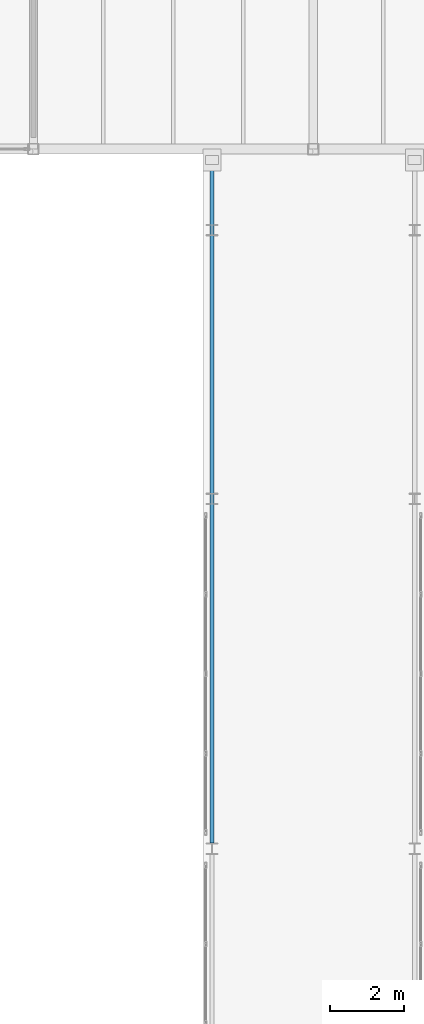
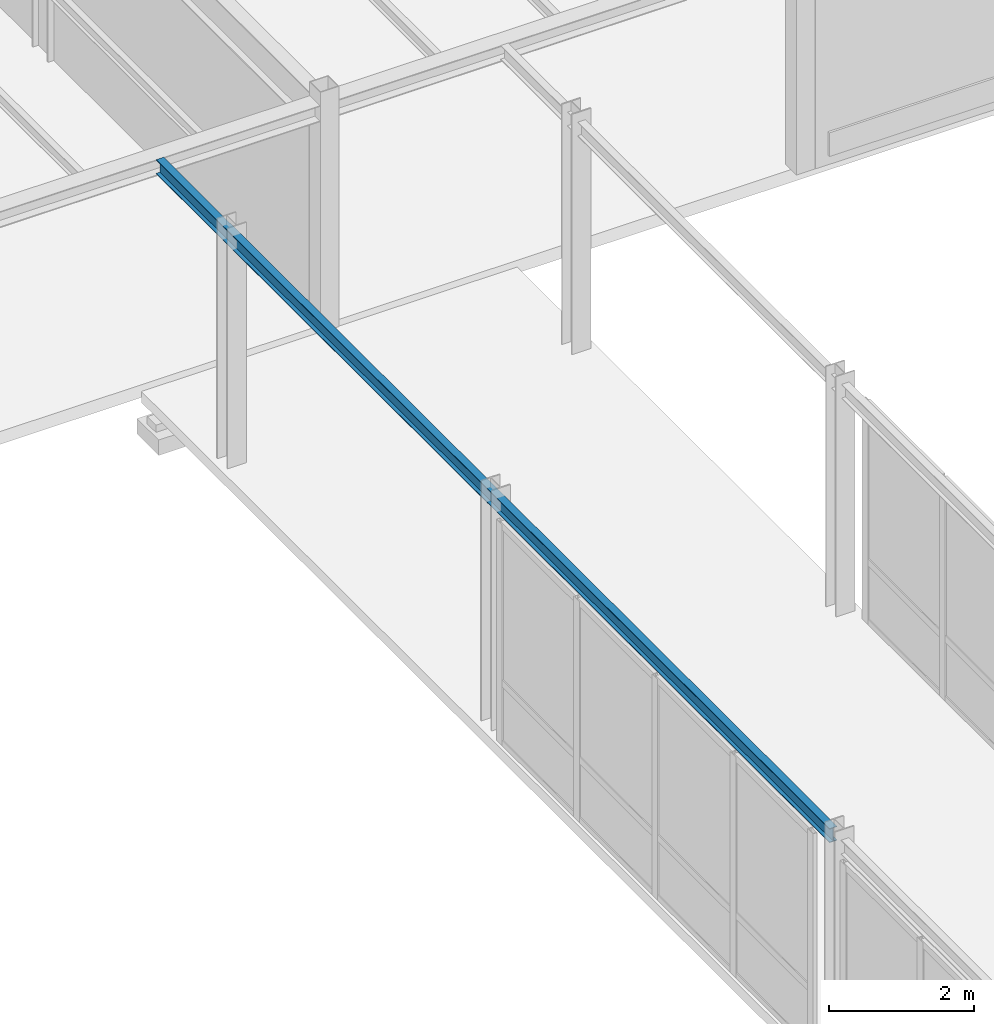
# One storey, part 44 of 165: 1 beam.
"""IFC4 building model written with IfcOpenShell, lengths in metres."""

from ifc_helpers import new_model, si_unit, direction, frame, origin, origin_2d, place, context, subcontext, project, spatial, i_section, extrude, material, material_profile, profile_set, type_object, element, save


model = new_model("IFC4")

# Units and contexts
model_context = context("Model", 3, precision=1e-05, world=origin(), true_north=direction((0.0, 1.0)))
body_context = subcontext(model_context, "Body", "Model", "MODEL_VIEW")
ifc_project = project(units=[si_unit("LENGTHUNIT", "METRE"), si_unit("AREAUNIT", "SQUARE_METRE"), si_unit("VOLUMEUNIT", "CUBIC_METRE"), si_unit("PLANEANGLEUNIT", "RADIAN"), si_unit("MASSUNIT", "GRAM", prefix="KILO")], contexts=[model_context])

# Site, building, storey
site_placement = place(None, origin())
site = spatial("IfcSite", under=ifc_project, at=site_placement, CompositionType="ELEMENT")
building_placement = place(site_placement, origin())
building = spatial("IfcBuilding", under=site, at=building_placement, Name="Montecoro Central Library", CompositionType="ELEMENT")
storey_placement = place(building_placement, frame((0.0, 0.0, 5.10009765625)))
storey = spatial("IfcBuildingStorey", under=building, at=storey_placement, Name="L01", CompositionType="ELEMENT", Elevation=5.10009765625)

# Beam
ifc_material = material(Name="Steel S355", Category="steel")
ifc_material_profile = material_profile(ifc_material, i_section(OverallWidth=0.1201171875, OverallDepth=0.239990234375, WebThickness=0.006103515625, FlangeThickness=0.009765625, at=origin_2d()), Name="IPE 240")
ifc_profile_set = profile_set([ifc_material_profile], Name="Steel S355")
beam_type = type_object("IfcBeamType", Name="BM-SP-IPE240", PredefinedType="SPANDREL", material=ifc_profile_set)
beam_placement = place(storey_placement, frame((25.050048828125, 54.56005859375, 3.77490234375), z_axis=(0.0, 1.0, 0.0), x_axis=(-1.0, 0.0, 0.0)))
element("IfcBeam", 1, at=beam_placement, inside=storey, type_object=beam_type, Name="BR-W-L02-BM-W2", PredefinedType="SPANDREL", context=body_context, shape_type="SweptSolid", body=[
    extrude(i_section(OverallWidth=0.1201171875, OverallDepth=0.239990234375, WebThickness=0.006103515625, FlangeThickness=0.009765625, at=origin_2d()), origin(), (0.0, 0.0, 1.0), 18.619873046875),
])

save(model, "model.ifc")
